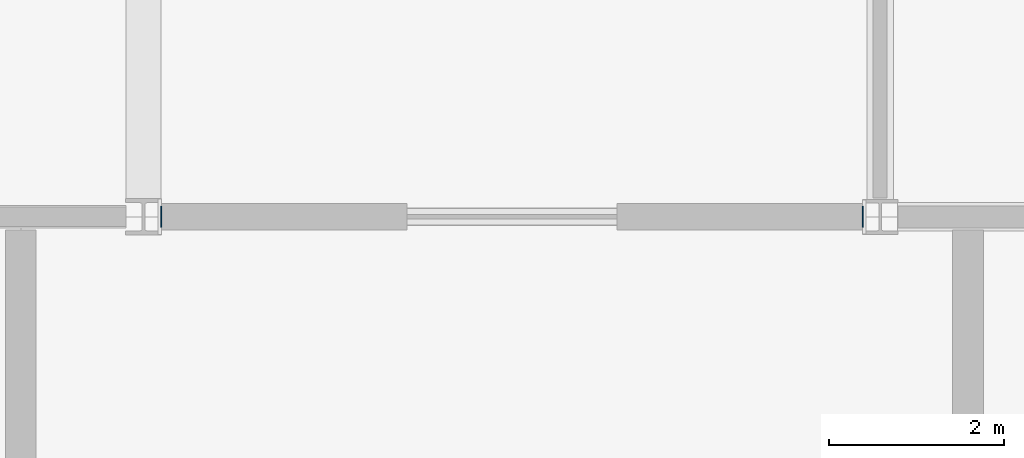
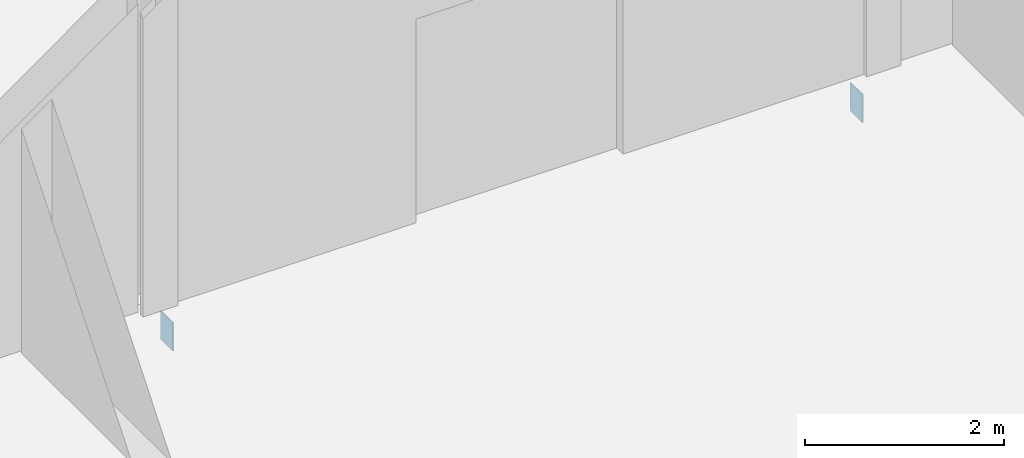
# One storey, part 159 of 229: 2 plates.
"""IFC4 building model written with IfcOpenShell, lengths in metres."""

import ifcopenshell
import ifcopenshell.guid

model = None  # the IFC model being written
_history = None  # IfcOwnerHistory: only IFC2X3 demands one
_inside = {}  # id of a spatial element -> (the spatial element, [elements in it])
_under = {}  # id of a project, library or spatial element -> (it, [spatial elements below it])
_declared = {}  # id of a project -> (the project, [libraries it declares])
_typed = {}  # id of a type object -> (the type object, [elements of that type])
_made_of = {}  # id of a material, layer set ... -> (it, [elements and type objects made of it])


def new_model(schema):
    """Start an empty IFC model of exactly this schema.

    Asked for "IFC4X3", IfcOpenShell would pick the latest addendum, in which some entities
    have other attributes; the version numbers below select the first issue.
    IFC2X3 requires an IfcOwnerHistory on every rooted entity: one is made here for all.
    """
    global model, _history
    if schema == "IFC4X3":
        model = ifcopenshell.file(schema_version=(4, 3, 0, 0))
    else:
        model = ifcopenshell.file(schema=schema)
    _inside.clear()
    _under.clear()
    _declared.clear()
    _typed.clear()
    _made_of.clear()
    _history = None
    if model.schema == "IFC2X3":
        org = make("IfcOrganization", Name="unknown")
        user = make(
            "IfcPersonAndOrganization",
            ThePerson=make("IfcPerson", FamilyName="unknown"),
            TheOrganization=org,
        )
        app = make(
            "IfcApplication",
            ApplicationDeveloper=org,
            Version="unknown",
            ApplicationFullName="unknown",
            ApplicationIdentifier="unknown",
        )
        _history = make(
            "IfcOwnerHistory",
            OwningUser=user,
            OwningApplication=app,
            ChangeAction="ADDED",
            CreationDate=0,
        )
    return model


def make(cls, **values):
    """One entity of the class cls with the attributes given. An attribute that is None is left unset."""
    return model.create_entity(
        cls, **{name: value for name, value in values.items() if value is not None}
    )


def rooted(cls, **values):
    """An entity with a GlobalId (a new one), such as an element, a storey or a relation."""
    return make(cls, GlobalId=ifcopenshell.guid.new(), OwnerHistory=_history, **values)


def si_unit(unit_type, name, prefix=None):
    """IfcSIUnit, for example si_unit("LENGTHUNIT", "METRE", prefix="MILLI")."""
    return make("IfcSIUnit", UnitType=unit_type, Prefix=prefix, Name=name)


def assignment(units):
    """IfcUnitAssignment: the units of a project."""
    return None if units is None else make("IfcUnitAssignment", Units=units)


def point(xyz):
    """IfcCartesianPoint."""
    return None if xyz is None else make("IfcCartesianPoint", Coordinates=xyz)


def direction(xyz):
    """IfcDirection."""
    return None if xyz is None else make("IfcDirection", DirectionRatios=xyz)


def frame(location, z_axis=None, x_axis=None):
    """IfcAxis2Placement3D, a coordinate frame: its origin and axes. An axis left out is left unset."""
    return make(
        "IfcAxis2Placement3D",
        Location=point(location),
        Axis=direction(z_axis),
        RefDirection=direction(x_axis),
    )


def frame_2d(location, x_axis=None):
    """IfcAxis2Placement2D, a coordinate frame in the plane: its origin and x axis."""
    return make(
        "IfcAxis2Placement2D", Location=point(location), RefDirection=direction(x_axis)
    )


def origin():
    """The frame at (0, 0, 0) with its axes left unset."""
    return frame((0.0, 0.0, 0.0))


def origin_2d():
    """The frame at (0, 0) in the plane with its x axis left unset."""
    return frame_2d((0.0, 0.0))


def place(relative_to, where):
    """IfcLocalPlacement: puts the frame where relative to a parent placement (None: the world)."""
    return make(
        "IfcLocalPlacement", PlacementRelTo=relative_to, RelativePlacement=where
    )


def context(
    kind, dimensions, precision=None, world=None, true_north=None, identifier=None
):
    """IfcGeometricRepresentationContext, for example the 3D "Model" context."""
    return make(
        "IfcGeometricRepresentationContext",
        ContextIdentifier=identifier,
        ContextType=kind,
        CoordinateSpaceDimension=dimensions,
        Precision=precision,
        WorldCoordinateSystem=world,
        TrueNorth=true_north,
    )


def subcontext(parent, identifier, kind, view, scale=None):
    """IfcGeometricRepresentationSubContext, for example "Body" below "Model"."""
    return make(
        "IfcGeometricRepresentationSubContext",
        ContextIdentifier=identifier,
        ContextType=kind,
        ParentContext=parent,
        TargetScale=scale,
        TargetView=view,
    )


def project(units=None, contexts=None):
    """IfcProject with its units and contexts."""
    return rooted(
        "IfcProject",
        Name="project",
        RepresentationContexts=contexts,
        UnitsInContext=assignment(units),
    )


def spatial(cls, under=None, at=None, **own):
    """A site, building, storey or space (cls), placed at a placement, below another one or the project."""
    s = rooted(cls, ObjectPlacement=at, **own)
    if under is not None:
        _under.setdefault(under.id(), (under, []))[1].append(s)
    return s


def profile(cls, at=None, kind="AREA", **sizes):
    """A parametric profile (cls). Its sizes go by their IFC names, for example OverallWidth=200.0."""
    return make(cls, ProfileType=kind, Position=at, **sizes)


def rectangle(**sizes):
    """IfcRectangleProfileDef."""
    return profile("IfcRectangleProfileDef", **sizes)


def extrude(swept, where, along, depth):
    """IfcExtrudedAreaSolid: the profile swept, set in the frame where, extruded along a direction by depth."""
    return make(
        "IfcExtrudedAreaSolid",
        SweptArea=swept,
        Position=where,
        ExtrudedDirection=direction(along),
        Depth=depth,
    )


def shape(context_of_items, identifier, shape_type, items):
    """IfcShapeRepresentation: the items that make up one representation, for example the "Body"."""
    return make(
        "IfcShapeRepresentation",
        ContextOfItems=context_of_items,
        RepresentationIdentifier=identifier,
        RepresentationType=shape_type,
        Items=items,
    )


def material(Name=None, Category=None):
    """IfcMaterial."""
    return make("IfcMaterial", Name=Name, Category=Category)


def layer(
    of_material, thickness, ventilated=None, Name=None, Category=None, Priority=None
):
    """IfcMaterialLayer: one layer of a wall or slab, of a material (None: an air gap)."""
    return make(
        "IfcMaterialLayer",
        Material=of_material,
        LayerThickness=thickness,
        IsVentilated=ventilated,
        Name=Name,
        Category=Category,
        Priority=Priority,
    )


def layer_set(layers, Name=None):
    """IfcMaterialLayerSet."""
    return make("IfcMaterialLayerSet", MaterialLayers=layers, LayerSetName=Name)


def made_of(thing, what):
    """Note that an element or type object is made of a material, layer set ...; save() writes the relation."""
    if what is not None:
        _made_of.setdefault(what.id(), (what, []))[1].append(thing)
    return thing


def type_object(cls, material=None, **own):
    """A type object (cls), such as IfcWallType, which elements share."""
    return made_of(rooted(cls, **own), material)


def element(
    cls,
    number,
    at=None,
    inside=None,
    cuts=None,
    type_object=None,
    material=None,
    context=None,
    identifier="Body",
    shape_type=None,
    held_by="IfcProductDefinitionShape",
    body=None,
    shapes=None,
    **own,
):
    """One element of the class cls, such as IfcWall. Its Tag is "e" and its number.

    at: its placement. inside: the storey or other place that contains it. cuts: it is an
    opening in that element (IfcRelVoidsElement). A single representation is given by context,
    identifier, shape_type and body (its items); several are given by shapes. held_by: the class
    of the entity that holds the representations. save() writes the other relations.
    """
    e = rooted(cls, Tag="e%d" % number, ObjectPlacement=at, **own)
    if body is not None:
        shapes = [shape(context, identifier, shape_type, body)]
    if shapes is not None:
        e.Representation = make(held_by, Representations=shapes)
    if inside is not None:
        _inside.setdefault(inside.id(), (inside, []))[1].append(e)
    if cuts is not None:
        rooted(
            "IfcRelVoidsElement", RelatingBuildingElement=cuts, RelatedOpeningElement=e
        )
    if type_object is not None:
        _typed.setdefault(type_object.id(), (type_object, []))[1].append(e)
    return made_of(e, material)


def aggregate(whole, parts):
    """IfcRelAggregates: a whole, such as a stair, and the parts it consists of."""
    return rooted("IfcRelAggregates", RelatingObject=whole, RelatedObjects=parts)


def save(model, path):
    """Write the relations noted so far, then the file.

    IfcRelAggregates (storeys below a building ...), IfcRelContainedInSpatialStructure (elements
    in a storey), IfcRelDefinesByType, IfcRelAssociatesMaterial and IfcRelDeclares: one each for
    every whole, place, type object, material and project.
    """
    for whole, parts in _under.values():
        aggregate(whole, parts)
    for where, things in _inside.values():
        rooted(
            "IfcRelContainedInSpatialStructure",
            RelatedElements=things,
            RelatingStructure=where,
        )
    for kind, things in _typed.values():
        rooted("IfcRelDefinesByType", RelatedObjects=things, RelatingType=kind)
    for what, things in _made_of.values():
        rooted("IfcRelAssociatesMaterial", RelatedObjects=things, RelatingMaterial=what)
    for by, libraries in _declared.values():
        rooted("IfcRelDeclares", RelatingContext=by, RelatedDefinitions=libraries)
    model.write(path)


model = new_model("IFC4")

# Units and contexts
model_context = context("Model", 3, precision=1e-05, world=origin(), true_north=direction((0.0, 1.0)))
body_context = subcontext(model_context, "Body", "Model", "MODEL_VIEW")
ifc_project = project(units=[si_unit("LENGTHUNIT", "METRE"), si_unit("AREAUNIT", "SQUARE_METRE"), si_unit("VOLUMEUNIT", "CUBIC_METRE"), si_unit("PLANEANGLEUNIT", "RADIAN"), si_unit("MASSUNIT", "GRAM", prefix="KILO")], contexts=[model_context])

# Site, building, storey
site_placement = place(None, origin())
site = spatial("IfcSite", under=ifc_project, at=site_placement, CompositionType="ELEMENT")
building_placement = place(site_placement, origin())
building = spatial("IfcBuilding", under=site, at=building_placement, Name="Calvrana Isthmian Art Gallery", CompositionType="ELEMENT")
storey_placement = place(building_placement, origin())
storey = spatial("IfcBuildingStorey", under=building, at=storey_placement, Name="L00", CompositionType="ELEMENT", Elevation=0.0)

# Plates
ifc_material = material(Name="Steel ASTM A572 Gr 50", Category="steel")
ifc_layer = layer(ifc_material, 0.01611328125, Name="Steel ASTM A572 Gr 50")
ifc_layer_set = layer_set([ifc_layer], Name="Steel ASTM A572 Gr 50")
plate_type = type_object("IfcPlateType", Name="PL-CAP-16", PredefinedType="SHEET", material=ifc_layer_set)
for number, where, z_axis, x_axis, name in (
    (1, (38.60205078125, 21.60009765625, -0.60986328125), (0.0, 0.0, 1.0), (1.0, 0.0, 0.0), "Hollow section end cap plate 379"),
    (2, (46.6005859375, 21.60009765625, -0.60986328125), (0.0, 0.0, 1.0), (1.0, 0.0, 0.0), "Hollow section end cap plate 380"),
):
    element("IfcPlate", number, at=place(storey_placement, frame(where, z_axis=z_axis, x_axis=x_axis)), inside=storey, type_object=plate_type, Name=name, PredefinedType="SHEET", context=body_context, shape_type="SweptSolid", body=[
        extrude(rectangle(XDim=0.01611328125, YDim=0.2431640625, at=origin_2d()), origin(), (0.0, 0.0, 1.0), 0.3447265625),
    ])

save(model, "model.ifc")
